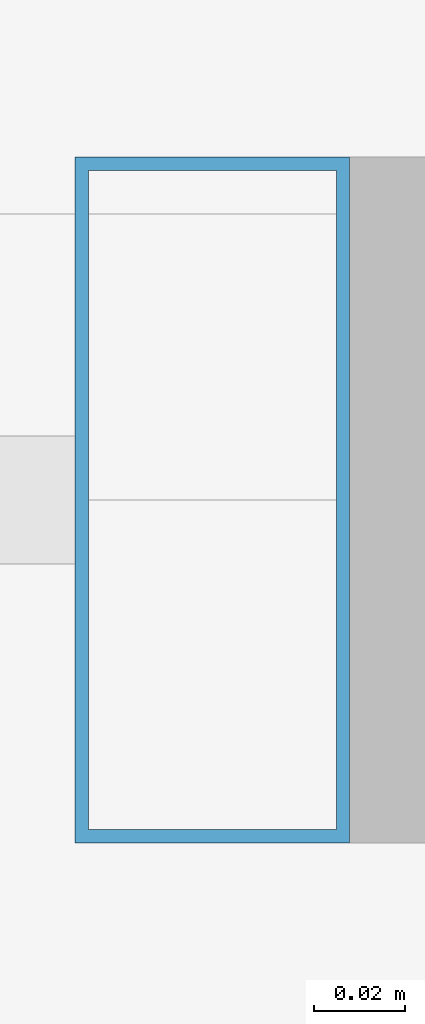
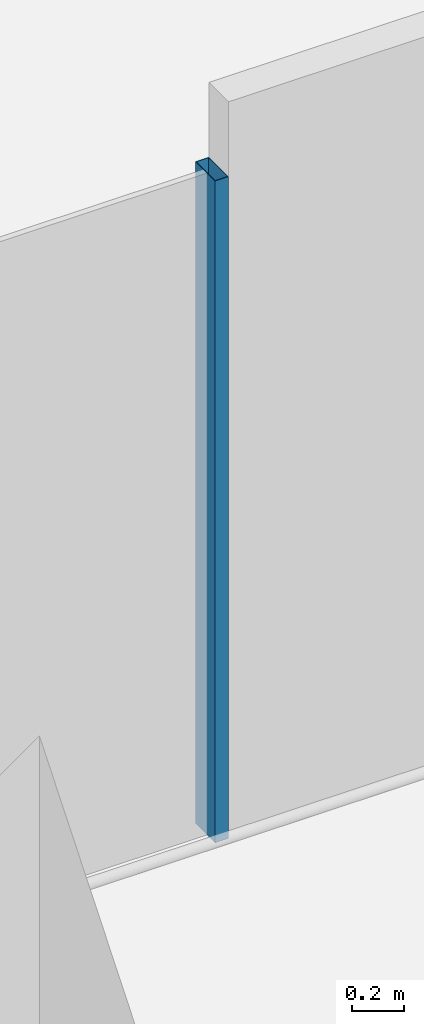
# One storey, part 7 of 54: 1 member, 1 element without a shape of its own.
"""IFC4 building model written with IfcOpenShell, lengths in metres."""

from ifc_helpers import new_model, si_unit, direction, frame, origin, origin_2d, place, context, subcontext, project, spatial, hollow_rectangle, extrude, material, material_profile, profile_set, type_object, element, aggregate, save


model = new_model("IFC4")

# Units and contexts
model_context = context("Model", 3, precision=1e-05, world=origin(), true_north=direction((0.0, 1.0)))
body_context = subcontext(model_context, "Body", "Model", "MODEL_VIEW")
ifc_project = project(units=[si_unit("LENGTHUNIT", "METRE"), si_unit("AREAUNIT", "SQUARE_METRE"), si_unit("VOLUMEUNIT", "CUBIC_METRE"), si_unit("PLANEANGLEUNIT", "RADIAN"), si_unit("MASSUNIT", "GRAM", prefix="KILO")], contexts=[model_context])

# Site, building, storey
site_placement = place(None, origin())
site = spatial("IfcSite", under=ifc_project, at=site_placement, CompositionType="ELEMENT")
building_placement = place(site_placement, origin())
building = spatial("IfcBuilding", under=site, at=building_placement, Name="Altepetl Exchange Towers", CompositionType="ELEMENT")
storey_placement = place(building_placement, frame((0.0, 0.0, 65.39990234375)))
storey = spatial("IfcBuildingStorey", under=building, at=storey_placement, Name="L15", CompositionType="ELEMENT", Elevation=65.39990234375)

# Curtain wall, member
ifc_material_1 = material(Name="Aluminium 6063-T6 glazing", Category="aluminium")
curtain_wall_type = type_object("IfcCurtainWallType", Name="Loggia glazing system", PredefinedType="NOTDEFINED", material=ifc_material_1)
curtain_wall_placement = place(storey_placement, origin())
curtain_wall = element("IfcCurtainWall", 1, at=curtain_wall_placement, inside=storey, type_object=curtain_wall_type, Name="CW1 run", PredefinedType="NOTDEFINED")
ifc_material_2 = material(Name="Aluminium 6063-T6", Category="aluminium")
ifc_material_profile = material_profile(ifc_material_2, hollow_rectangle(XDim=0.06005859375, YDim=0.14990234375, WallThickness=0.0029296875, at=origin_2d()), Name="Mullion 60x150 aluminium")
ifc_profile_set = profile_set([ifc_material_profile], Name="Aluminium 6063-T6")
member_type = type_object("IfcMemberType", Name="Mullion 60x150 aluminium", PredefinedType="MULLION", material=ifc_profile_set)
member_placement = place(storey_placement, frame((47.152099609375, 29.0, 0.0)))
member = element("IfcMember", 2, at=member_placement, type_object=member_type, Name="MU1 mullion", PredefinedType="MULLION", context=body_context, shape_type="SweptSolid", body=[
    extrude(hollow_rectangle(XDim=0.06005859375, YDim=0.14990234375, WallThickness=0.0029296875, at=origin_2d()), origin(), (0.0, 0.0, 1.0), 3.10009765625),
])
aggregate(curtain_wall, [member])

save(model, "model.ifc")
